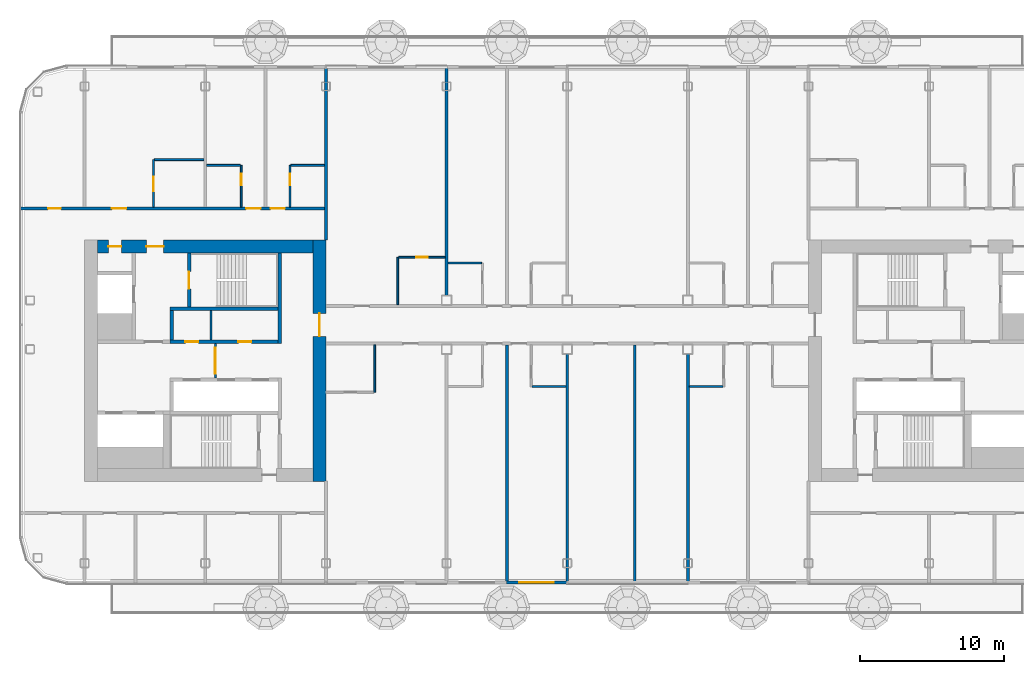
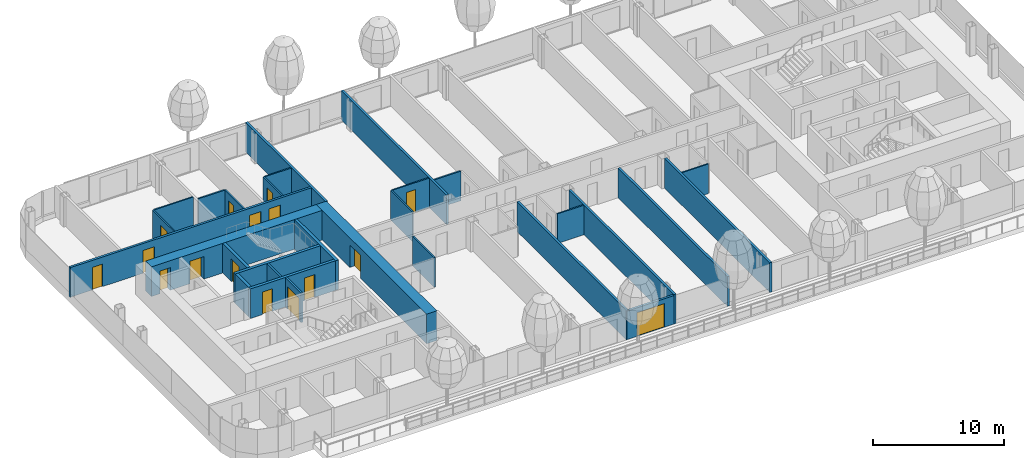
# One storey, part 11 of 28: 29 walls, 16 doors, 16 openings, 1 element without a shape of its own.
"""IFC4 building model written with IfcOpenShell, lengths in metres."""

import ifcopenshell
import ifcopenshell.guid

model = None  # the IFC model being written
_history = None  # IfcOwnerHistory: only IFC2X3 demands one
_inside = {}  # id of a spatial element -> (the spatial element, [elements in it])
_under = {}  # id of a project, library or spatial element -> (it, [spatial elements below it])
_declared = {}  # id of a project -> (the project, [libraries it declares])
_typed = {}  # id of a type object -> (the type object, [elements of that type])
_made_of = {}  # id of a material, layer set ... -> (it, [elements and type objects made of it])


def new_model(schema):
    """Start an empty IFC model of exactly this schema.

    Asked for "IFC4X3", IfcOpenShell would pick the latest addendum, in which some entities
    have other attributes; the version numbers below select the first issue.
    IFC2X3 requires an IfcOwnerHistory on every rooted entity: one is made here for all.
    """
    global model, _history
    if schema == "IFC4X3":
        model = ifcopenshell.file(schema_version=(4, 3, 0, 0))
    else:
        model = ifcopenshell.file(schema=schema)
    _inside.clear()
    _under.clear()
    _declared.clear()
    _typed.clear()
    _made_of.clear()
    _history = None
    if model.schema == "IFC2X3":
        org = make("IfcOrganization", Name="unknown")
        user = make(
            "IfcPersonAndOrganization",
            ThePerson=make("IfcPerson", FamilyName="unknown"),
            TheOrganization=org,
        )
        app = make(
            "IfcApplication",
            ApplicationDeveloper=org,
            Version="unknown",
            ApplicationFullName="unknown",
            ApplicationIdentifier="unknown",
        )
        _history = make(
            "IfcOwnerHistory",
            OwningUser=user,
            OwningApplication=app,
            ChangeAction="ADDED",
            CreationDate=0,
        )
    return model


def make(cls, **values):
    """One entity of the class cls with the attributes given. An attribute that is None is left unset."""
    return model.create_entity(
        cls, **{name: value for name, value in values.items() if value is not None}
    )


def rooted(cls, **values):
    """An entity with a GlobalId (a new one), such as an element, a storey or a relation."""
    return make(cls, GlobalId=ifcopenshell.guid.new(), OwnerHistory=_history, **values)


def si_unit(unit_type, name, prefix=None):
    """IfcSIUnit, for example si_unit("LENGTHUNIT", "METRE", prefix="MILLI")."""
    return make("IfcSIUnit", UnitType=unit_type, Prefix=prefix, Name=name)


def assignment(units):
    """IfcUnitAssignment: the units of a project."""
    return None if units is None else make("IfcUnitAssignment", Units=units)


def point(xyz):
    """IfcCartesianPoint."""
    return None if xyz is None else make("IfcCartesianPoint", Coordinates=xyz)


def direction(xyz):
    """IfcDirection."""
    return None if xyz is None else make("IfcDirection", DirectionRatios=xyz)


def frame(location, z_axis=None, x_axis=None):
    """IfcAxis2Placement3D, a coordinate frame: its origin and axes. An axis left out is left unset."""
    return make(
        "IfcAxis2Placement3D",
        Location=point(location),
        Axis=direction(z_axis),
        RefDirection=direction(x_axis),
    )


def frame_2d(location, x_axis=None):
    """IfcAxis2Placement2D, a coordinate frame in the plane: its origin and x axis."""
    return make(
        "IfcAxis2Placement2D", Location=point(location), RefDirection=direction(x_axis)
    )


def origin():
    """The frame at (0, 0, 0) with its axes left unset."""
    return frame((0.0, 0.0, 0.0))


def place(relative_to, where):
    """IfcLocalPlacement: puts the frame where relative to a parent placement (None: the world)."""
    return make(
        "IfcLocalPlacement", PlacementRelTo=relative_to, RelativePlacement=where
    )


def context(
    kind, dimensions, precision=None, world=None, true_north=None, identifier=None
):
    """IfcGeometricRepresentationContext, for example the 3D "Model" context."""
    return make(
        "IfcGeometricRepresentationContext",
        ContextIdentifier=identifier,
        ContextType=kind,
        CoordinateSpaceDimension=dimensions,
        Precision=precision,
        WorldCoordinateSystem=world,
        TrueNorth=true_north,
    )


def subcontext(parent, identifier, kind, view, scale=None):
    """IfcGeometricRepresentationSubContext, for example "Body" below "Model"."""
    return make(
        "IfcGeometricRepresentationSubContext",
        ContextIdentifier=identifier,
        ContextType=kind,
        ParentContext=parent,
        TargetScale=scale,
        TargetView=view,
    )


def project(units=None, contexts=None):
    """IfcProject with its units and contexts."""
    return rooted(
        "IfcProject",
        Name="project",
        RepresentationContexts=contexts,
        UnitsInContext=assignment(units),
    )


def spatial(cls, under=None, at=None, **own):
    """A site, building, storey or space (cls), placed at a placement, below another one or the project."""
    s = rooted(cls, ObjectPlacement=at, **own)
    if under is not None:
        _under.setdefault(under.id(), (under, []))[1].append(s)
    return s


def profile(cls, at=None, kind="AREA", **sizes):
    """A parametric profile (cls). Its sizes go by their IFC names, for example OverallWidth=200.0."""
    return make(cls, ProfileType=kind, Position=at, **sizes)


def rectangle(**sizes):
    """IfcRectangleProfileDef."""
    return profile("IfcRectangleProfileDef", **sizes)


def extrude(swept, where, along, depth):
    """IfcExtrudedAreaSolid: the profile swept, set in the frame where, extruded along a direction by depth."""
    return make(
        "IfcExtrudedAreaSolid",
        SweptArea=swept,
        Position=where,
        ExtrudedDirection=direction(along),
        Depth=depth,
    )


def shape(context_of_items, identifier, shape_type, items):
    """IfcShapeRepresentation: the items that make up one representation, for example the "Body"."""
    return make(
        "IfcShapeRepresentation",
        ContextOfItems=context_of_items,
        RepresentationIdentifier=identifier,
        RepresentationType=shape_type,
        Items=items,
    )


def material(Name=None, Category=None):
    """IfcMaterial."""
    return make("IfcMaterial", Name=Name, Category=Category)


def layer(
    of_material, thickness, ventilated=None, Name=None, Category=None, Priority=None
):
    """IfcMaterialLayer: one layer of a wall or slab, of a material (None: an air gap)."""
    return make(
        "IfcMaterialLayer",
        Material=of_material,
        LayerThickness=thickness,
        IsVentilated=ventilated,
        Name=Name,
        Category=Category,
        Priority=Priority,
    )


def layer_set(layers, Name=None):
    """IfcMaterialLayerSet."""
    return make("IfcMaterialLayerSet", MaterialLayers=layers, LayerSetName=Name)


def made_of(thing, what):
    """Note that an element or type object is made of a material, layer set ...; save() writes the relation."""
    if what is not None:
        _made_of.setdefault(what.id(), (what, []))[1].append(thing)
    return thing


def type_object(cls, material=None, **own):
    """A type object (cls), such as IfcWallType, which elements share."""
    return made_of(rooted(cls, **own), material)


def element(
    cls,
    number,
    at=None,
    inside=None,
    cuts=None,
    type_object=None,
    material=None,
    context=None,
    identifier="Body",
    shape_type=None,
    held_by="IfcProductDefinitionShape",
    body=None,
    shapes=None,
    **own,
):
    """One element of the class cls, such as IfcWall. Its Tag is "e" and its number.

    at: its placement. inside: the storey or other place that contains it. cuts: it is an
    opening in that element (IfcRelVoidsElement). A single representation is given by context,
    identifier, shape_type and body (its items); several are given by shapes. held_by: the class
    of the entity that holds the representations. save() writes the other relations.
    """
    e = rooted(cls, Tag="e%d" % number, ObjectPlacement=at, **own)
    if body is not None:
        shapes = [shape(context, identifier, shape_type, body)]
    if shapes is not None:
        e.Representation = make(held_by, Representations=shapes)
    if inside is not None:
        _inside.setdefault(inside.id(), (inside, []))[1].append(e)
    if cuts is not None:
        rooted(
            "IfcRelVoidsElement", RelatingBuildingElement=cuts, RelatedOpeningElement=e
        )
    if type_object is not None:
        _typed.setdefault(type_object.id(), (type_object, []))[1].append(e)
    return made_of(e, material)


def fill(opening, filler):
    """IfcRelFillsElement: the door or window that sits in an opening."""
    return rooted(
        "IfcRelFillsElement",
        RelatingOpeningElement=opening,
        RelatedBuildingElement=filler,
    )


def aggregate(whole, parts):
    """IfcRelAggregates: a whole, such as a stair, and the parts it consists of."""
    return rooted("IfcRelAggregates", RelatingObject=whole, RelatedObjects=parts)


def save(model, path):
    """Write the relations noted so far, then the file.

    IfcRelAggregates (storeys below a building ...), IfcRelContainedInSpatialStructure (elements
    in a storey), IfcRelDefinesByType, IfcRelAssociatesMaterial and IfcRelDeclares: one each for
    every whole, place, type object, material and project.
    """
    for whole, parts in _under.values():
        aggregate(whole, parts)
    for where, things in _inside.values():
        rooted(
            "IfcRelContainedInSpatialStructure",
            RelatedElements=things,
            RelatingStructure=where,
        )
    for kind, things in _typed.values():
        rooted("IfcRelDefinesByType", RelatedObjects=things, RelatingType=kind)
    for what, things in _made_of.values():
        rooted("IfcRelAssociatesMaterial", RelatedObjects=things, RelatingMaterial=what)
    for by, libraries in _declared.values():
        rooted("IfcRelDeclares", RelatingContext=by, RelatedDefinitions=libraries)
    model.write(path)


model = new_model("IFC4")

# Units and contexts
model_context = context("Model", 3, precision=1e-05, world=origin(), true_north=direction((0.0, 1.0)))
body_context = subcontext(model_context, "Body", "Model", "MODEL_VIEW")
ifc_project = project(units=[si_unit("LENGTHUNIT", "METRE"), si_unit("AREAUNIT", "SQUARE_METRE"), si_unit("VOLUMEUNIT", "CUBIC_METRE"), si_unit("PLANEANGLEUNIT", "RADIAN"), si_unit("MASSUNIT", "GRAM", prefix="KILO")], contexts=[model_context])

# Site, building, storey
site_placement = place(None, origin())
site = spatial("IfcSite", under=ifc_project, at=site_placement, CompositionType="ELEMENT")
building_placement = place(site_placement, origin())
building = spatial("IfcBuilding", under=site, at=building_placement, Name="Hakoniwa Tower and Hamabe Station Hall", CompositionType="ELEMENT")
storey_placement = place(building_placement, frame((0.0, 0.0, 193.0)))
storey = spatial("IfcBuildingStorey", under=building, at=storey_placement, Name="L54", CompositionType="ELEMENT", Elevation=193.0)

# Walls
ifc_material_1 = material(Name="Gypsum board partition", Category="gypsum")
ifc_layer_1 = layer(ifc_material_1, 0.125)
ifc_layer_set_1 = layer_set([ifc_layer_1], Name="Bathroom Partition 125")
wall_type_1 = type_object("IfcWallType", Name="Bathroom Partition 125", PredefinedType="PARTITIONING", material=ifc_layer_set_1)
for number, where, z_axis, x_axis, name in (
    (1, (-2.4375, -1.800048828125, 0.0), (0.0, 0.0, 1.0), (1.0, 0.0, 0.0), "GW-L54-005"),
    (2, (8.5, -1.800048828125, 0.0), (0.0, 0.0, 1.0), (1.0, 0.0, 0.0), "GW-L54-006"),
):
    element("IfcWall", number, at=place(storey_placement, frame(where, z_axis=z_axis, x_axis=x_axis)), inside=storey, type_object=wall_type_1, Name=name, PredefinedType="PARTITIONING", context=body_context, shape_type="SweptSolid", body=[
        extrude(rectangle(XDim=2.33740234375, YDim=0.125, at=frame_2d((1.168701171875, 0.0))), origin(), (0.0, 0.0, 1.0), 2.75),
    ])
wall_1_placement = place(storey_placement, frame((-8.300048828125, 6.800048828125, 0.0), z_axis=(0.0, 0.0, 1.0), x_axis=(1.0, 0.0, 0.0)))
element("IfcWall", 3, at=wall_1_placement, inside=storey, type_object=wall_type_1, Name="GW-L54-010", PredefinedType="PARTITIONING", context=body_context, shape_type="SweptSolid", body=[
    extrude(rectangle(XDim=2.337646484375, YDim=0.125, at=frame_2d((1.1689453125, 0.0))), origin(), (0.0, 0.0, 1.0), 2.75),
])

# Wall, opening, door
wall_2_placement = place(storey_placement, frame((-11.737548828125, 7.199951171875, 0.0), z_axis=(0.0, 0.0, 1.0), x_axis=(1.0, 0.0, 0.0)))
wall_2 = element("IfcWall", 4, at=wall_2_placement, inside=storey, type_object=wall_type_1, Name="GW-L54-014", PredefinedType="PARTITIONING", context=body_context, shape_type="SweptSolid", body=[
    extrude(rectangle(XDim=3.237548828125, YDim=0.125, at=frame_2d((1.61865234375, 0.0))), origin(), (0.0, 0.0, 1.0), 2.75),
])
opening_1_placement = place(wall_2_placement, frame((1.237548828125, 0.0, 0.0)))
opening_1 = element("IfcOpeningElement", 5, at=opening_1_placement, cuts=wall_2, Name="Opening GD-G4C0-24", PredefinedType="OPENING", context=body_context, shape_type="SweptSolid", body=[
    extrude(rectangle(XDim=0.800048828125, YDim=2.10009765625, at=frame_2d((0.39990234375, 1.050048828125))), frame((0.0, 0.072509765625, 0.0), z_axis=(0.0, -1.0, 0.0), x_axis=(1.0, 0.0, 0.0)), (0.0, 0.0, 1.0), 0.14501953125),
])
ifc_material_2 = material(Name="Timber door leaf", Category="wood")
door_type_1 = type_object("IfcDoorType", Name="Bathroom Door 800", OperationType="SINGLE_SWING_LEFT", PredefinedType="DOOR", material=ifc_material_2)
door_1_placement = place(opening_1_placement, origin())
door_1 = element("IfcDoor", 6, at=door_1_placement, inside=storey, type_object=door_type_1, Name="Door GD-G4C0-24", OperationType="SINGLE_SWING_RIGHT", OverallHeight=2.10009765625, OverallWidth=0.800048828125, PredefinedType="DOOR", context=body_context, shape_type="SweptSolid", body=[
    extrude(rectangle(XDim=0.800048828125, YDim=2.10009765625, at=frame_2d((0.39990234375, 1.050048828125))), frame((0.0, 0.02490234375, 0.0), z_axis=(0.0, -1.0, 0.0), x_axis=(1.0, 0.0, 0.0)), (0.0, 0.0, 1.0), 0.050048828125),
])
fill(opening_1, door_1)

# Walls
for number, where, z_axis, x_axis, name in (
    (7, (-25.10009765625, 13.60009765625, 0.0), (0.0, 0.0, 1.0), (1.0, 0.0, 0.0), "GW-L54-017"),
    (8, (-19.237548828125, 13.60009765625, 0.0), (0.0, 0.0, 1.0), (1.0, 0.0, 0.0), "GW-L54-018"),
):
    element("IfcWall", number, at=place(storey_placement, frame(where, z_axis=z_axis, x_axis=x_axis)), inside=storey, type_object=wall_type_1, Name=name, PredefinedType="PARTITIONING", context=body_context, shape_type="SweptSolid", body=[
        extrude(rectangle(XDim=2.337646484375, YDim=0.125, at=frame_2d((1.1689453125, 0.0))), origin(), (0.0, 0.0, 1.0), 2.75),
    ])
wall_3_placement = place(storey_placement, frame((-28.737548828125, 14.0, 0.0), z_axis=(0.0, 0.0, 1.0), x_axis=(1.0, 0.0, 0.0)))
element("IfcWall", 9, at=wall_3_placement, inside=storey, type_object=wall_type_1, Name="GW-L54-021", PredefinedType="PARTITIONING", context=body_context, shape_type="SweptSolid", body=[
    extrude(rectangle(XDim=3.4375, YDim=0.125, at=frame_2d((1.71875, 0.0))), origin(), (0.0, 0.0, 1.0), 2.75),
])

# Wall, opening, door
wall_4_placement = place(storey_placement, frame((-28.800048828125, 10.699951171875, 0.0), z_axis=(0.0, 0.0, 1.0), x_axis=(0.0, 1.0, 0.0)))
wall_4 = element("IfcWall", 10, at=wall_4_placement, inside=storey, type_object=wall_type_1, Name="GW-L54-026", PredefinedType="PARTITIONING", context=body_context, shape_type="SweptSolid", body=[
    extrude(rectangle(XDim=3.300048828125, YDim=0.125, at=frame_2d((1.64990234375, 0.0))), origin(), (0.0, 0.0, 1.0), 2.75),
])
opening_2_placement = place(wall_4_placement, frame((1.10009765625, 0.0, 0.0)))
opening_2 = element("IfcOpeningElement", 11, at=opening_2_placement, cuts=wall_4, Name="Opening GD-G4C0-34", PredefinedType="OPENING", context=body_context, shape_type="SweptSolid", body=[
    extrude(rectangle(XDim=1.0, YDim=2.10009765625, at=frame_2d((0.5, 1.050048828125))), frame((0.0, 0.072509765625, 0.0), z_axis=(0.0, -1.0, 0.0), x_axis=(1.0, 0.0, 0.0)), (0.0, 0.0, 1.0), 0.14501953125),
])
ifc_material_3 = material(Name="Timber door leaf", Category="wood")
door_type_2 = type_object("IfcDoorType", Name="Accessible Bathroom Door 1000", OperationType="SINGLE_SWING_LEFT", PredefinedType="DOOR", material=ifc_material_3)
door_2_placement = place(opening_2_placement, origin())
door_2 = element("IfcDoor", 12, at=door_2_placement, inside=storey, type_object=door_type_2, Name="Door GD-G4C0-34", OperationType="SINGLE_SWING_LEFT", OverallHeight=2.10009765625, OverallWidth=1.0, PredefinedType="DOOR", context=body_context, shape_type="SweptSolid", body=[
    extrude(rectangle(XDim=1.0, YDim=2.10009765625, at=frame_2d((0.5, 1.050048828125))), frame((0.0, 0.02490234375, 0.0), z_axis=(0.0, -1.0, 0.0), x_axis=(1.0, 0.0, 0.0)), (0.0, 0.0, 1.0), 0.050048828125),
])
fill(opening_2, door_2)

wall_5_placement = place(storey_placement, frame((-22.699951171875, 10.699951171875, 0.0), z_axis=(0.0, 0.0, 1.0), x_axis=(0.0, 1.0, 0.0)))
wall_5 = element("IfcWall", 13, at=wall_5_placement, inside=storey, type_object=wall_type_1, Name="GW-L54-029", PredefinedType="PARTITIONING", context=body_context, shape_type="SweptSolid", body=[
    extrude(rectangle(XDim=2.900146484375, YDim=0.125, at=frame_2d((1.4501953125, 0.0))), origin(), (0.0, 0.0, 1.0), 2.75),
])
opening_3_placement = place(wall_5_placement, frame((1.5, 0.0, 0.0)))
opening_3 = element("IfcOpeningElement", 14, at=opening_3_placement, cuts=wall_5, Name="Opening GD-G4C0-35", PredefinedType="OPENING", context=body_context, shape_type="SweptSolid", body=[
    extrude(rectangle(XDim=0.800048828125, YDim=2.10009765625, at=frame_2d((0.39990234375, 1.050048828125))), frame((0.0, 0.072509765625, 0.0), z_axis=(0.0, -1.0, 0.0), x_axis=(1.0, 0.0, 0.0)), (0.0, 0.0, 1.0), 0.14501953125),
])
door_3_placement = place(opening_3_placement, origin())
door_3 = element("IfcDoor", 15, at=door_3_placement, inside=storey, type_object=door_type_1, Name="Door GD-G4C0-35", OperationType="SINGLE_SWING_LEFT", OverallHeight=2.10009765625, OverallWidth=0.800048828125, PredefinedType="DOOR", context=body_context, shape_type="SweptSolid", body=[
    extrude(rectangle(XDim=0.800048828125, YDim=2.10009765625, at=frame_2d((0.39990234375, 1.050048828125))), frame((0.0, 0.02490234375, 0.0), z_axis=(0.0, -1.0, 0.0), x_axis=(1.0, 0.0, 0.0)), (0.0, 0.0, 1.0), 0.050048828125),
])
fill(opening_3, door_3)

wall_6_placement = place(storey_placement, frame((-19.300048828125, 10.699951171875, 0.0), z_axis=(0.0, 0.0, 1.0), x_axis=(0.0, 1.0, 0.0)))
wall_6 = element("IfcWall", 16, at=wall_6_placement, inside=storey, type_object=wall_type_1, Name="GW-L54-032", PredefinedType="PARTITIONING", context=body_context, shape_type="SweptSolid", body=[
    extrude(rectangle(XDim=2.900146484375, YDim=0.125, at=frame_2d((1.4501953125, 0.0))), origin(), (0.0, 0.0, 1.0), 2.75),
])
opening_4_placement = place(wall_6_placement, frame((1.5, 0.0, 0.0)))
opening_4 = element("IfcOpeningElement", 17, at=opening_4_placement, cuts=wall_6, Name="Opening GD-G4C0-36", PredefinedType="OPENING", context=body_context, shape_type="SweptSolid", body=[
    extrude(rectangle(XDim=0.800048828125, YDim=2.10009765625, at=frame_2d((0.39990234375, 1.050048828125))), frame((0.0, 0.072509765625, 0.0), z_axis=(0.0, -1.0, 0.0), x_axis=(1.0, 0.0, 0.0)), (0.0, 0.0, 1.0), 0.14501953125),
])
door_4_placement = place(opening_4_placement, origin())
door_4 = element("IfcDoor", 18, at=door_4_placement, inside=storey, type_object=door_type_1, Name="Door GD-G4C0-36", OperationType="SINGLE_SWING_RIGHT", OverallHeight=2.10009765625, OverallWidth=0.800048828125, PredefinedType="DOOR", context=body_context, shape_type="SweptSolid", body=[
    extrude(rectangle(XDim=0.800048828125, YDim=2.10009765625, at=frame_2d((0.39990234375, 1.050048828125))), frame((0.0, 0.02490234375, 0.0), z_axis=(0.0, -1.0, 0.0), x_axis=(1.0, 0.0, 0.0)), (0.0, 0.0, 1.0), 0.050048828125),
])
fill(opening_4, door_4)

# Walls
for number, where, z_axis, x_axis, name in (
    (19, (-13.39990234375, -2.199951171875, 0.0), (0.0, 0.0, 1.0), (0.0, 1.0, 0.0), "GW-L54-035"),
    (20, (-11.800048828125, 3.89990234375, 0.0), (0.0, 0.0, 1.0), (0.0, 1.0, 0.0), "GW-L54-036"),
):
    element("IfcWall", number, at=place(storey_placement, frame(where, z_axis=z_axis, x_axis=x_axis)), inside=storey, type_object=wall_type_1, Name=name, PredefinedType="PARTITIONING", context=body_context, shape_type="SweptSolid", body=[
        extrude(rectangle(XDim=3.300048828125, YDim=0.125, at=frame_2d((1.64990234375, 0.0))), origin(), (0.0, 0.0, 1.0), 2.75),
    ])

# Wall, opening, door
ifc_material_4 = material(Name="Gypsum board partition")
ifc_layer_2 = layer(ifc_material_4, 0.14990234375)
ifc_layer_set_2 = layer_set([ifc_layer_2], Name="CORE PARTITION 150 EI 60")
wall_type_2 = type_object("IfcWallType", Name="CORE PARTITION 150 EI 60", PredefinedType="PARTITIONING", material=ifc_layer_set_2)
wall_7_placement = place(storey_placement, frame((-24.5, -1.199951171875, 0.0), z_axis=(0.0, 0.0, 1.0), x_axis=(0.0, 1.0, 0.0)))
wall_7 = element("IfcWall", 21, at=wall_7_placement, inside=storey, type_object=wall_type_2, Name="Core partition PL0 west", PredefinedType="PARTITIONING", context=body_context, shape_type="SweptSolid", body=[
    extrude(rectangle(XDim=2.39990234375, YDim=0.14990234375, at=frame_2d((1.199951171875, 0.0))), origin(), (0.0, 0.0, 1.0), 2.75),
])
opening_5_placement = place(wall_7_placement, frame((0.300048828125, 0.0, 0.0)))
opening_5 = element("IfcOpeningElement", 22, at=opening_5_placement, cuts=wall_7, Name="Opening CD-W-LP0-18", PredefinedType="OPENING", context=body_context, shape_type="SweptSolid", body=[
    extrude(rectangle(XDim=1.800048828125, YDim=2.10009765625, at=frame_2d((0.89990234375, 1.050048828125))), frame((0.0, 0.0849609375, 0.0), z_axis=(0.0, -1.0, 0.0), x_axis=(1.0, 0.0, 0.0)), (0.0, 0.0, 1.0), 0.169921875),
])
ifc_material_5 = material(Name="Steel fire door", Category="steel")
door_type_3 = type_object("IfcDoorType", Name="CORE DOOR 1800 FD60", OperationType="DOUBLE_DOOR_SINGLE_SWING", PredefinedType="DOOR", material=ifc_material_5)
door_5_placement = place(opening_5_placement, origin())
door_5 = element("IfcDoor", 23, at=door_5_placement, inside=storey, type_object=door_type_3, Name="Lift lobby partition door", OperationType="DOUBLE_DOOR_SINGLE_SWING", OverallHeight=2.10009765625, OverallWidth=1.800048828125, PredefinedType="DOOR", context=body_context, shape_type="SweptSolid", body=[
    extrude(rectangle(XDim=1.800048828125, YDim=2.10009765625, at=frame_2d((0.89990234375, 1.050048828125))), frame((0.0, 0.02490234375, 0.0), z_axis=(0.0, -1.0, 0.0), x_axis=(1.0, 0.0, 0.0)), (0.0, 0.0, 1.0), 0.050048828125),
])
fill(opening_5, door_5)

# Wall
wall_8_placement = place(storey_placement, frame((-24.800048828125, 1.449951171875, 0.0), z_axis=(0.0, 0.0, 1.0), x_axis=(0.0, 1.0, 0.0)))
element("IfcWall", 24, at=wall_8_placement, inside=storey, type_object=wall_type_2, Name="Core partition PFLR0 west", PredefinedType="PARTITIONING", context=body_context, shape_type="SweptSolid", body=[
    extrude(rectangle(XDim=2.050048828125, YDim=0.14990234375, at=frame_2d((1.02490234375, 0.0))), origin(), (0.0, 0.0, 1.0), 2.75),
])

# Wall, opening, door
ifc_material_6 = material(Name="Concrete C60", Category="concrete")
ifc_layer_3 = layer(ifc_material_6, 0.89990234375)
ifc_layer_set_3 = layer_set([ifc_layer_3], Name="CORE WALL 900 C60")
wall_type_3 = type_object("IfcWallType", Name="CORE WALL 900 C60", PredefinedType="SHEAR", material=ifc_layer_set_3)
wall_9_placement = place(storey_placement, frame((-17.25, -8.39990234375, 0.0), z_axis=(0.0, 0.0, 1.0), x_axis=(0.0, 1.0, 0.0)))
wall_9 = element("IfcWall", 25, at=wall_9_placement, inside=storey, type_object=wall_type_3, Name="Core wall INNER west", PredefinedType="SHEAR", context=body_context, shape_type="SweptSolid", body=[
    extrude(rectangle(XDim=16.7998046875, YDim=0.89990234375, at=frame_2d((8.39990234375, 0.0))), origin(), (0.0, 0.0, 1.0), 2.75),
])
opening_6_placement = place(wall_9_placement, frame((10.10009765625, 0.0, 0.0)))
opening_6 = element("IfcOpeningElement", 26, at=opening_6_placement, cuts=wall_9, Name="Opening CD-W-IN1-16", PredefinedType="OPENING", context=body_context, shape_type="SweptSolid", body=[
    extrude(rectangle(XDim=1.60009765625, YDim=2.10009765625, at=frame_2d((0.800048828125, 1.050048828125))), frame((0.0, 0.4599609375, 0.0), z_axis=(0.0, -1.0, 0.0), x_axis=(1.0, 0.0, 0.0)), (0.0, 0.0, 1.0), 0.919921875),
])
ifc_material_7 = material(Name="Steel fire door", Category="steel")
door_type_4 = type_object("IfcDoorType", Name="CORE DOOR 1600 FD60", OperationType="DOUBLE_DOOR_SINGLE_SWING", PredefinedType="DOOR", material=ifc_material_7)
door_6_placement = place(opening_6_placement, origin())
door_6 = element("IfcDoor", 27, at=door_6_placement, inside=storey, type_object=door_type_4, Name="Lift lobby door", OperationType="DOUBLE_DOOR_SINGLE_SWING", OverallHeight=2.10009765625, OverallWidth=1.60009765625, PredefinedType="DOOR", context=body_context, shape_type="SweptSolid", body=[
    extrude(rectangle(XDim=1.60009765625, YDim=2.10009765625, at=frame_2d((0.800048828125, 1.050048828125))), frame((0.0, 0.02490234375, 0.0), z_axis=(0.0, -1.0, 0.0), x_axis=(1.0, 0.0, 0.0)), (0.0, 0.0, 1.0), 0.050048828125),
])
fill(opening_6, door_6)

# Wall, openings, doors
wall_10_placement = place(storey_placement, frame((-32.699951171875, 7.949951171875, 0.0), z_axis=(0.0, 0.0, 1.0), x_axis=(1.0, 0.0, 0.0)))
wall_10 = element("IfcWall", 28, at=wall_10_placement, inside=storey, type_object=wall_type_3, Name="Core wall NORTH west", PredefinedType="SHEAR", context=body_context, shape_type="SweptSolid", body=[
    extrude(rectangle(XDim=15.0, YDim=0.89990234375, at=frame_2d((7.5, 0.0))), origin(), (0.0, 0.0, 1.0), 2.75),
])
opening_7_placement = place(wall_10_placement, frame((3.39990234375, 0.0, 0.0)))
opening_7 = element("IfcOpeningElement", 29, at=opening_7_placement, cuts=wall_10, Name="Opening CD-W-FN1-12", PredefinedType="OPENING", context=body_context, shape_type="SweptSolid", body=[
    extrude(rectangle(XDim=1.199951171875, YDim=2.10009765625, at=frame_2d((0.60009765625, 1.050048828125))), frame((0.0, 0.4599609375, 0.0), z_axis=(0.0, -1.0, 0.0), x_axis=(1.0, 0.0, 0.0)), (0.0, 0.0, 1.0), 0.919921875),
])
opening_8_placement = place(wall_10_placement, frame((0.75, 0.0, 0.0)))
opening_8 = element("IfcOpeningElement", 30, at=opening_8_placement, cuts=wall_10, Name="Opening CD-W-FN2-9", PredefinedType="OPENING", context=body_context, shape_type="SweptSolid", body=[
    extrude(rectangle(XDim=0.89990234375, YDim=2.10009765625, at=frame_2d((0.449951171875, 1.050048828125))), frame((0.0, 0.4599609375, 0.0), z_axis=(0.0, -1.0, 0.0), x_axis=(1.0, 0.0, 0.0)), (0.0, 0.0, 1.0), 0.919921875),
])
ifc_material_8 = material(Name="Steel fire door", Category="steel")
door_type_5 = type_object("IfcDoorType", Name="CORE DOOR 1200 FD60", OperationType="DOUBLE_DOOR_SINGLE_SWING", PredefinedType="DOOR", material=ifc_material_8)
door_7_placement = place(opening_7_placement, origin())
door_7 = element("IfcDoor", 31, at=door_7_placement, inside=storey, type_object=door_type_5, Name="Stair vestibule door to the fire-fighting lobby", OperationType="DOUBLE_DOOR_SINGLE_SWING", OverallHeight=2.10009765625, OverallWidth=1.199951171875, PredefinedType="DOOR", context=body_context, shape_type="SweptSolid", body=[
    extrude(rectangle(XDim=1.199951171875, YDim=2.10009765625, at=frame_2d((0.60009765625, 1.050048828125))), frame((0.0, 0.02490234375, 0.0), z_axis=(0.0, -1.0, 0.0), x_axis=(1.0, 0.0, 0.0)), (0.0, 0.0, 1.0), 0.050048828125),
])
fill(opening_7, door_7)
ifc_material_9 = material(Name="Steel fire door", Category="steel")
door_type_6 = type_object("IfcDoorType", Name="CORE DOOR 900 FD30", OperationType="NOTDEFINED", PredefinedType="DOOR", material=ifc_material_9)
door_8_placement = place(opening_8_placement, origin())
door_8 = element("IfcDoor", 32, at=door_8_placement, inside=storey, type_object=door_type_6, Name="Riser access door", OperationType="SINGLE_SWING_LEFT", OverallHeight=2.10009765625, OverallWidth=0.89990234375, PredefinedType="DOOR", context=body_context, shape_type="SweptSolid", body=[
    extrude(rectangle(XDim=0.89990234375, YDim=2.10009765625, at=frame_2d((0.449951171875, 1.050048828125))), frame((0.0, 0.02490234375, 0.0), z_axis=(0.0, -1.0, 0.0), x_axis=(1.0, 0.0, 0.0)), (0.0, 0.0, 1.0), 0.050048828125),
])
fill(opening_8, door_8)

# Wall
ifc_material_10 = material(Name="Concrete C60", Category="concrete")
ifc_layer_4 = layer(ifc_material_10, 0.25)
ifc_layer_set_4 = layer_set([ifc_layer_4], Name="CORE WEB WALL 250 C60")
wall_type_4 = type_object("IfcWallType", Name="CORE WEB WALL 250 C60", PredefinedType="SHEAR", material=ifc_layer_set_4)
wall_11_placement = place(storey_placement, frame((-20.02490234375, 1.199951171875, 0.0), z_axis=(0.0, 0.0, 1.0), x_axis=(0.0, 1.0, 0.0)))
element("IfcWall", 33, at=wall_11_placement, inside=storey, type_object=wall_type_4, Name="Core wall W1N west", PredefinedType="SHEAR", context=body_context, shape_type="SweptSolid", body=[
    extrude(rectangle(XDim=6.300048828125, YDim=0.25, at=frame_2d((3.14990234375, 0.0))), origin(), (0.0, 0.0, 1.0), 2.75),
])

# Wall, openings, doors
wall_12_placement = place(storey_placement, frame((-27.64990234375, 1.324951171875, 0.0), z_axis=(0.0, 0.0, 1.0), x_axis=(1.0, 0.0, 0.0)))
wall_12 = element("IfcWall", 34, at=wall_12_placement, inside=storey, type_object=wall_type_4, Name="Core wall NF west", PredefinedType="SHEAR", context=body_context, shape_type="SweptSolid", body=[
    extrude(rectangle(XDim=7.5, YDim=0.25, at=frame_2d((3.75, 0.0))), origin(), (0.0, 0.0, 1.0), 2.75),
])
opening_9_placement = place(wall_12_placement, frame((4.762451171875, 0.0, 0.0)))
opening_9 = element("IfcOpeningElement", 35, at=opening_9_placement, cuts=wall_12, Name="Opening CD-W-FRLR0-9", PredefinedType="OPENING", context=body_context, shape_type="SweptSolid", body=[
    extrude(rectangle(XDim=0.89990234375, YDim=2.10009765625, at=frame_2d((0.449951171875, 1.050048828125))), frame((0.0, 0.135009765625, 0.0), z_axis=(0.0, -1.0, 0.0), x_axis=(1.0, 0.0, 0.0)), (0.0, 0.0, 1.0), 0.27001953125),
])
opening_10_placement = place(wall_12_placement, frame((1.0625, 0.0, 0.0)))
opening_10 = element("IfcOpeningElement", 36, at=opening_10_placement, cuts=wall_12, Name="Opening CD-W-FRLR1-9", PredefinedType="OPENING", context=body_context, shape_type="SweptSolid", body=[
    extrude(rectangle(XDim=0.89990234375, YDim=2.10009765625, at=frame_2d((0.449951171875, 1.050048828125))), frame((0.0, 0.135009765625, 0.0), z_axis=(0.0, -1.0, 0.0), x_axis=(1.0, 0.0, 0.0)), (0.0, 0.0, 1.0), 0.27001953125),
])
door_9_placement = place(opening_9_placement, origin())
door_9 = element("IfcDoor", 37, at=door_9_placement, inside=storey, type_object=door_type_6, Name="Store room door", OperationType="SINGLE_SWING_LEFT", OverallHeight=2.10009765625, OverallWidth=0.89990234375, PredefinedType="DOOR", context=body_context, shape_type="SweptSolid", body=[
    extrude(rectangle(XDim=0.89990234375, YDim=2.10009765625, at=frame_2d((0.449951171875, 1.050048828125))), frame((0.0, 0.02490234375, 0.0), z_axis=(0.0, -1.0, 0.0), x_axis=(1.0, 0.0, 0.0)), (0.0, 0.0, 1.0), 0.050048828125),
])
fill(opening_9, door_9)
door_10_placement = place(opening_10_placement, origin())
door_10 = element("IfcDoor", 38, at=door_10_placement, inside=storey, type_object=door_type_6, Name="Store room door", OperationType="SINGLE_SWING_RIGHT", OverallHeight=2.10009765625, OverallWidth=0.89990234375, PredefinedType="DOOR", context=body_context, shape_type="SweptSolid", body=[
    extrude(rectangle(XDim=0.89990234375, YDim=2.10009765625, at=frame_2d((0.449951171875, 1.050048828125))), frame((0.0, 0.02490234375, 0.0), z_axis=(0.0, -1.0, 0.0), x_axis=(1.0, 0.0, 0.0)), (0.0, 0.0, 1.0), 0.050048828125),
])
fill(opening_10, door_10)

# Walls
wall_13_placement = place(storey_placement, frame((-27.52490234375, 1.449951171875, 0.0), z_axis=(0.0, 0.0, 1.0), x_axis=(0.0, 1.0, 0.0)))
element("IfcWall", 39, at=wall_13_placement, inside=storey, type_object=wall_type_4, Name="Core wall NE west", PredefinedType="SHEAR", context=body_context, shape_type="SweptSolid", body=[
    extrude(rectangle(XDim=2.050048828125, YDim=0.25, at=frame_2d((1.02490234375, 0.0))), origin(), (0.0, 0.0, 1.0), 2.75),
])
wall_14_placement = place(storey_placement, frame((-27.64990234375, 3.625, 0.0), z_axis=(0.0, 0.0, 1.0), x_axis=(1.0, 0.0, 0.0)))
element("IfcWall", 40, at=wall_14_placement, inside=storey, type_object=wall_type_4, Name="Core wall NR west", PredefinedType="SHEAR", context=body_context, shape_type="SweptSolid", body=[
    extrude(rectangle(XDim=7.5, YDim=0.25, at=frame_2d((3.75, 0.0))), origin(), (0.0, 0.0, 1.0), 2.75),
])

# Wall, opening, door
wall_15_placement = place(storey_placement, frame((-26.324951171875, 3.75, 0.0), z_axis=(0.0, 0.0, 1.0), x_axis=(0.0, 1.0, 0.0)))
wall_15 = element("IfcWall", 41, at=wall_15_placement, inside=storey, type_object=wall_type_4, Name="Core wall NSE west", PredefinedType="SHEAR", context=body_context, shape_type="SweptSolid", body=[
    extrude(rectangle(XDim=3.75, YDim=0.25, at=frame_2d((1.875, 0.0))), origin(), (0.0, 0.0, 1.0), 2.75),
])
opening_11_placement = place(wall_15_placement, frame((1.25, 0.0, 0.0)))
opening_11 = element("IfcOpeningElement", 42, at=opening_11_placement, cuts=wall_15, Name="Opening CD-W-SN-12", PredefinedType="OPENING", context=body_context, shape_type="SweptSolid", body=[
    extrude(rectangle(XDim=1.199951171875, YDim=2.10009765625, at=frame_2d((0.60009765625, 1.050048828125))), frame((0.0, 0.135009765625, 0.0), z_axis=(0.0, -1.0, 0.0), x_axis=(1.0, 0.0, 0.0)), (0.0, 0.0, 1.0), 0.27001953125),
])
door_11_placement = place(opening_11_placement, origin())
door_11 = element("IfcDoor", 43, at=door_11_placement, inside=storey, type_object=door_type_5, Name="Escape stair door", OperationType="DOUBLE_DOOR_SINGLE_SWING", OverallHeight=2.10009765625, OverallWidth=1.199951171875, PredefinedType="DOOR", context=body_context, shape_type="SweptSolid", body=[
    extrude(rectangle(XDim=1.199951171875, YDim=2.10009765625, at=frame_2d((0.60009765625, 1.050048828125))), frame((0.0, 0.02490234375, 0.0), z_axis=(0.0, -1.0, 0.0), x_axis=(1.0, 0.0, 0.0)), (0.0, 0.0, 1.0), 0.050048828125),
])
fill(opening_11, door_11)

# Wall, openings, doors
ifc_material_11 = material(Name="Fire-rated gypsum board partition", Category="gypsum")
ifc_layer_5 = layer(ifc_material_11, 0.199951171875)
ifc_layer_set_5 = layer_set([ifc_layer_5], Name="Corridor Wall 200")
wall_type_5 = type_object("IfcWallType", Name="Corridor Wall 200", PredefinedType="PARTITIONING", material=ifc_layer_set_5)
wall_16_placement = place(storey_placement, frame((-38.10009765625, 10.60009765625, 0.0), z_axis=(0.0, 0.0, 1.0), x_axis=(1.0, 0.0, 0.0)))
wall_16 = element("IfcWall", 44, at=wall_16_placement, inside=storey, type_object=wall_type_5, Name="GW-L54-015", PredefinedType="PARTITIONING", context=body_context, shape_type="SweptSolid", body=[
    extrude(rectangle(XDim=21.300048828125, YDim=0.199951171875, at=frame_2d((10.64990234375, 0.0))), origin(), (0.0, 0.0, 1.0), 2.75),
])
opening_12_placement = place(wall_16_placement, frame((1.949951171875, 0.0, 0.0)))
opening_12 = element("IfcOpeningElement", 45, at=opening_12_placement, cuts=wall_16, Name="Opening GD-G4C0-25", PredefinedType="OPENING", context=body_context, shape_type="SweptSolid", body=[
    extrude(rectangle(XDim=0.89990234375, YDim=2.10009765625, at=frame_2d((0.449951171875, 1.050048828125))), frame((0.0, 0.10986328125, 0.0), z_axis=(0.0, -1.0, 0.0), x_axis=(1.0, 0.0, 0.0)), (0.0, 0.0, 1.0), 0.219970703125),
])
opening_13_placement = place(wall_16_placement, frame((6.39990234375, 0.0, 0.0)))
opening_13 = element("IfcOpeningElement", 46, at=opening_13_placement, cuts=wall_16, Name="Opening GD-G4C0-26", PredefinedType="OPENING", context=body_context, shape_type="SweptSolid", body=[
    extrude(rectangle(XDim=1.0, YDim=2.10009765625, at=frame_2d((0.5, 1.050048828125))), frame((0.0, 0.10986328125, 0.0), z_axis=(0.0, -1.0, 0.0), x_axis=(1.0, 0.0, 0.0)), (0.0, 0.0, 1.0), 0.219970703125),
])
opening_14_placement = place(wall_16_placement, frame((15.75, 0.0, 0.0)))
opening_14 = element("IfcOpeningElement", 47, at=opening_14_placement, cuts=wall_16, Name="Opening GD-G4C0-27", PredefinedType="OPENING", context=body_context, shape_type="SweptSolid", body=[
    extrude(rectangle(XDim=1.0, YDim=2.10009765625, at=frame_2d((0.5, 1.050048828125))), frame((0.0, 0.10986328125, 0.0), z_axis=(0.0, -1.0, 0.0), x_axis=(1.0, 0.0, 0.0)), (0.0, 0.0, 1.0), 0.219970703125),
])
opening_15_placement = place(wall_16_placement, frame((17.449951171875, 0.0, 0.0)))
opening_15 = element("IfcOpeningElement", 48, at=opening_15_placement, cuts=wall_16, Name="Opening GD-G4C0-28", PredefinedType="OPENING", context=body_context, shape_type="SweptSolid", body=[
    extrude(rectangle(XDim=1.0, YDim=2.10009765625, at=frame_2d((0.5, 1.050048828125))), frame((0.0, 0.10986328125, 0.0), z_axis=(0.0, -1.0, 0.0), x_axis=(1.0, 0.0, 0.0)), (0.0, 0.0, 1.0), 0.219970703125),
])
ifc_material_12 = material(Name="Timber door leaf", Category="wood")
door_type_7 = type_object("IfcDoorType", Name="Accessible Guest Entrance Door 1000", OperationType="SINGLE_SWING_LEFT", PredefinedType="DOOR", material=ifc_material_12)
door_12_placement = place(opening_13_placement, origin())
door_12 = element("IfcDoor", 49, at=door_12_placement, inside=storey, type_object=door_type_7, Name="Door GD-G4C0-26", OperationType="SINGLE_SWING_LEFT", OverallHeight=2.10009765625, OverallWidth=1.0, PredefinedType="DOOR", context=body_context, shape_type="SweptSolid", body=[
    extrude(rectangle(XDim=1.0, YDim=2.10009765625, at=frame_2d((0.5, 1.050048828125))), frame((0.0, 0.02490234375, 0.0), z_axis=(0.0, -1.0, 0.0), x_axis=(1.0, 0.0, 0.0)), (0.0, 0.0, 1.0), 0.050048828125),
])
fill(opening_13, door_12)
ifc_material_13 = material(Name="Timber door leaf", Category="wood")
door_type_8 = type_object("IfcDoorType", Name="Guest Entrance Door 1000", OperationType="SINGLE_SWING_LEFT", PredefinedType="DOOR", material=ifc_material_13)
door_13_placement = place(opening_14_placement, origin())
door_13 = element("IfcDoor", 50, at=door_13_placement, inside=storey, type_object=door_type_8, Name="Door GD-G4C0-27", OperationType="SINGLE_SWING_RIGHT", OverallHeight=2.10009765625, OverallWidth=1.0, PredefinedType="DOOR", context=body_context, shape_type="SweptSolid", body=[
    extrude(rectangle(XDim=1.0, YDim=2.10009765625, at=frame_2d((0.5, 1.050048828125))), frame((0.0, 0.02490234375, 0.0), z_axis=(0.0, -1.0, 0.0), x_axis=(1.0, 0.0, 0.0)), (0.0, 0.0, 1.0), 0.050048828125),
])
fill(opening_14, door_13)
door_14_placement = place(opening_15_placement, origin())
door_14 = element("IfcDoor", 51, at=door_14_placement, inside=storey, type_object=door_type_8, Name="Door GD-G4C0-28", OperationType="SINGLE_SWING_LEFT", OverallHeight=2.10009765625, OverallWidth=1.0, PredefinedType="DOOR", context=body_context, shape_type="SweptSolid", body=[
    extrude(rectangle(XDim=1.0, YDim=2.10009765625, at=frame_2d((0.5, 1.050048828125))), frame((0.0, 0.02490234375, 0.0), z_axis=(0.0, -1.0, 0.0), x_axis=(1.0, 0.0, 0.0)), (0.0, 0.0, 1.0), 0.050048828125),
])
fill(opening_15, door_14)
ifc_material_14 = material(Name="Timber door leaf", Category="wood")
door_type_9 = type_object("IfcDoorType", Name="Service Door 900", OperationType="SINGLE_SWING_LEFT", PredefinedType="DOOR", material=ifc_material_14)
door_15_placement = place(opening_12_placement, origin())
door_15 = element("IfcDoor", 52, at=door_15_placement, inside=storey, type_object=door_type_9, Name="Door GD-G4C0-25", OperationType="SINGLE_SWING_LEFT", OverallHeight=2.10009765625, OverallWidth=0.89990234375, PredefinedType="DOOR", context=body_context, shape_type="SweptSolid", body=[
    extrude(rectangle(XDim=0.89990234375, YDim=2.10009765625, at=frame_2d((0.449951171875, 1.050048828125))), frame((0.0, 0.02490234375, 0.0), z_axis=(0.0, -1.0, 0.0), x_axis=(1.0, 0.0, 0.0)), (0.0, 0.0, 1.0), 0.050048828125),
])
fill(opening_12, door_15)

# Curtain wall, wall, opening, door
ifc_material_15 = material(Name="Dark low-e laminated glass", Category="glass")
ifc_layer_6 = layer(ifc_material_15, 0.199951171875)
ifc_layer_set_6 = layer_set([ifc_layer_6], Name="CW-1 UNITISED GUEST")
curtain_wall_type = type_object("IfcCurtainWallType", Name="CW-1 UNITISED GUEST", PredefinedType="NOTDEFINED", material=ifc_layer_set_6)
curtain_wall_placement = place(storey_placement, origin())
curtain_wall = element("IfcCurtainWall", 53, at=curtain_wall_placement, inside=storey, type_object=curtain_wall_type, Name="CW-1 curtain wall", PredefinedType="NOTDEFINED")
ifc_material_16 = material(Name="Dark glass-faced aluminium panel", Category="aluminium")
ifc_layer_7 = layer(ifc_material_16, 0.199951171875)
ifc_layer_set_7 = layer_set([ifc_layer_7], Name="DOOR BAY WALL")
wall_type_6 = type_object("IfcWallType", Name="DOOR BAY WALL", PredefinedType="NOTDEFINED", material=ifc_layer_set_7)
wall_17_placement = place(storey_placement, frame((-4.239990234375, -15.449951171875, 0.0), z_axis=(0.0, 0.0, 1.0), x_axis=(1.0, 0.0, 0.0)))
wall_17 = element("IfcWall", 54, at=wall_17_placement, type_object=wall_type_6, Name="Door bay wall", PredefinedType="NOTDEFINED", context=body_context, shape_type="SweptSolid", body=[
    extrude(rectangle(XDim=4.219970703125, YDim=0.199951171875, at=frame_2d((2.10986328125, 0.0))), origin(), (0.0, 0.0, 1.0), 2.64990234375),
])
opening_16_placement = place(wall_17_placement, frame((0.909912109375, 0.0, 0.0)))
opening_16 = element("IfcOpeningElement", 55, at=opening_16_placement, cuts=wall_17, Name="Opening BD-S07-8", PredefinedType="OPENING", context=body_context, shape_type="SweptSolid", body=[
    extrude(rectangle(XDim=2.39990234375, YDim=2.199951171875, at=frame_2d((1.199951171875, 1.10009765625))), frame((0.0, 0.10986328125, 0.0), z_axis=(0.0, -1.0, 0.0), x_axis=(1.0, 0.0, 0.0)), (0.0, 0.0, 1.0), 0.219970703125),
])
ifc_material_17 = material(Name="Dark low-e laminated glass", Category="glass")
door_type_10 = type_object("IfcDoorType", Name="BALCONY SLIDING DOOR 2400X2200", OperationType="SLIDING_TO_LEFT", PredefinedType="DOOR", material=ifc_material_17)
door_16_placement = place(opening_16_placement, frame((2.39990234375, 0.0, 0.0), z_axis=(0.0, 0.0, 1.0), x_axis=(-1.0, 0.0, 0.0)))
door_16 = element("IfcDoor", 56, at=door_16_placement, inside=storey, type_object=door_type_10, Name="Balcony sliding door", OperationType="SLIDING_TO_LEFT", OverallHeight=2.199951171875, OverallWidth=2.39990234375, PredefinedType="DOOR", context=body_context, shape_type="SweptSolid", body=[
    extrude(rectangle(XDim=2.39990234375, YDim=2.199951171875, at=frame_2d((1.199951171875, 1.10009765625))), frame((0.0, 0.02490234375, 0.0), z_axis=(0.0, -1.0, 0.0), x_axis=(1.0, 0.0, 0.0)), (0.0, 0.0, 1.0), 0.050048828125),
])
fill(opening_16, door_16)
aggregate(curtain_wall, [wall_17])

# Walls
ifc_material_18 = material(Name="Fire-rated gypsum board partition", Category="gypsum")
ifc_layer_8 = layer(ifc_material_18, 0.199951171875)
ifc_layer_set_8 = layer_set([ifc_layer_8], Name="Party Wall 200")
wall_type_7 = type_object("IfcWallType", Name="Party Wall 200", PredefinedType="PARTITIONING", material=ifc_layer_set_8)
wall_18_placement = place(storey_placement, frame((-16.800048828125, 8.389892578125, 0.0), z_axis=(0.0, 0.0, 1.0), x_axis=(0.0, 1.0, 0.0)))
element("IfcWall", 57, at=wall_18_placement, inside=storey, type_object=wall_type_7, Name="GW-L54-034", PredefinedType="PARTITIONING", context=body_context, shape_type="SweptSolid", body=[
    extrude(rectangle(XDim=12.16015625, YDim=0.199951171875, at=frame_2d((6.080078125, 0.0))), origin(), (0.0, 0.0, 1.0), 2.75),
])
wall_19_placement = place(storey_placement, frame((-8.39990234375, 4.5400390625, 0.0), z_axis=(0.0, 0.0, 1.0), x_axis=(0.0, 1.0, 0.0)))
element("IfcWall", 58, at=wall_19_placement, inside=storey, type_object=wall_type_7, Name="GW-L54-038", PredefinedType="PARTITIONING", context=body_context, shape_type="SweptSolid", body=[
    extrude(rectangle(XDim=16.010009765625, YDim=0.199951171875, at=frame_2d((8.0048828125, 0.0))), origin(), (0.0, 0.0, 1.0), 2.75),
])
wall_20_placement = place(storey_placement, frame((-4.199951171875, -15.550048828125, 0.0), z_axis=(0.0, 0.0, 1.0), x_axis=(0.0, 1.0, 0.0)))
element("IfcWall", 59, at=wall_20_placement, inside=storey, type_object=wall_type_7, Name="GW-L54-041", PredefinedType="PARTITIONING", context=body_context, shape_type="SweptSolid", body=[
    extrude(rectangle(XDim=16.650146484375, YDim=0.199951171875, at=frame_2d((8.3251953125, 0.0))), origin(), (0.0, 0.0, 1.0), 2.75),
])
wall_21_placement = place(storey_placement, frame((0.0, -15.550048828125, 0.0), z_axis=(0.0, 0.0, 1.0), x_axis=(0.0, 1.0, 0.0)))
element("IfcWall", 60, at=wall_21_placement, inside=storey, type_object=wall_type_7, Name="GW-L54-045", PredefinedType="PARTITIONING", context=body_context, shape_type="SweptSolid", body=[
    extrude(rectangle(XDim=16.010009765625, YDim=0.199951171875, at=frame_2d((8.0048828125, 0.0))), origin(), (0.0, 0.0, 1.0), 2.75),
])
wall_22_placement = place(storey_placement, frame((4.699951171875, -15.550048828125, 0.0), z_axis=(0.0, 0.0, 1.0), x_axis=(0.0, 1.0, 0.0)))
element("IfcWall", 61, at=wall_22_placement, inside=storey, type_object=wall_type_7, Name="GW-L54-047", PredefinedType="PARTITIONING", context=body_context, shape_type="SweptSolid", body=[
    extrude(rectangle(XDim=16.650146484375, YDim=0.199951171875, at=frame_2d((8.3251953125, 0.0))), origin(), (0.0, 0.0, 1.0), 2.75),
])
wall_23_placement = place(storey_placement, frame((8.39990234375, -15.550048828125, 0.0), z_axis=(0.0, 0.0, 1.0), x_axis=(0.0, 1.0, 0.0)))
element("IfcWall", 62, at=wall_23_placement, inside=storey, type_object=wall_type_7, Name="GW-L54-048", PredefinedType="PARTITIONING", context=body_context, shape_type="SweptSolid", body=[
    extrude(rectangle(XDim=16.010009765625, YDim=0.199951171875, at=frame_2d((8.0048828125, 0.0))), origin(), (0.0, 0.0, 1.0), 2.75),
])

save(model, "model.ifc")
